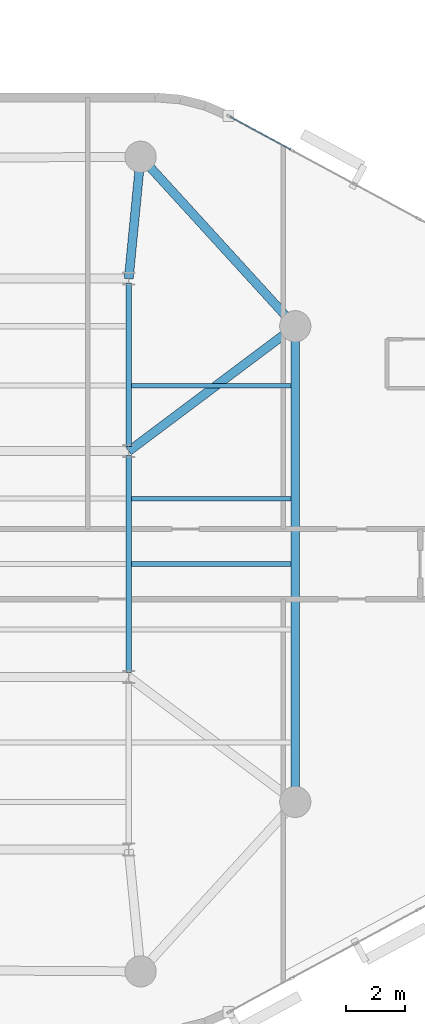
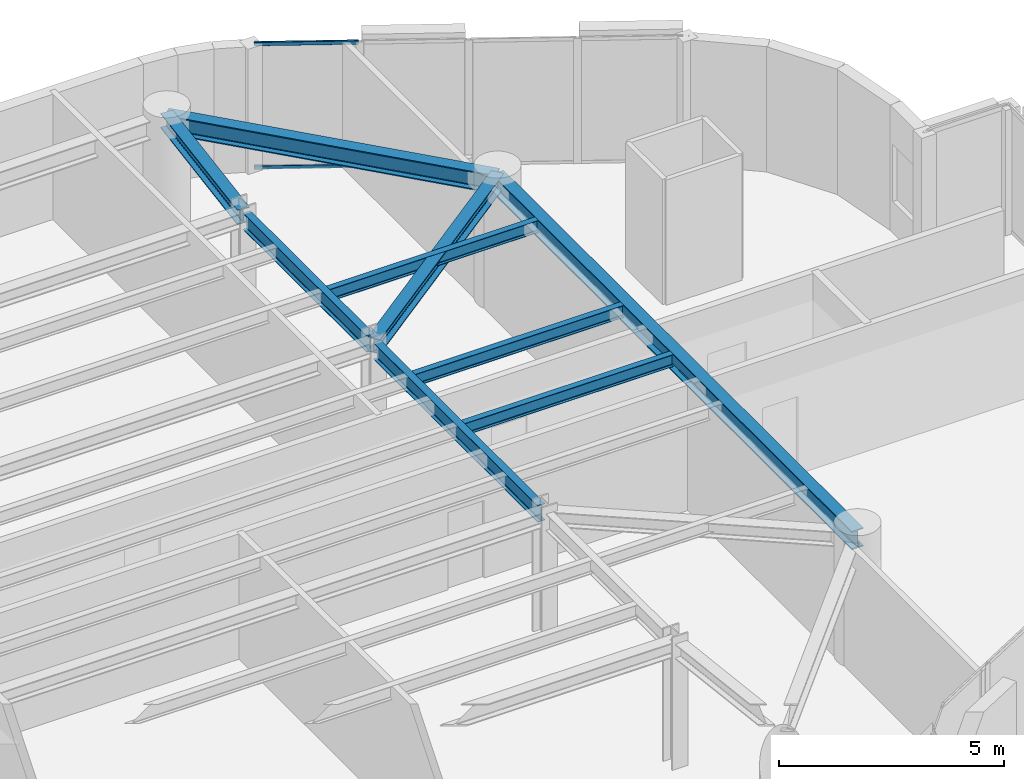
# One storey, part 5 of 15: 9 beams, 2 members, 1 element without a shape of its own.
"""IFC4 building model written with IfcOpenShell, lengths in metres."""

import ifcopenshell
import ifcopenshell.guid

model = None  # the IFC model being written
_history = None  # IfcOwnerHistory: only IFC2X3 demands one
_inside = {}  # id of a spatial element -> (the spatial element, [elements in it])
_under = {}  # id of a project, library or spatial element -> (it, [spatial elements below it])
_declared = {}  # id of a project -> (the project, [libraries it declares])
_typed = {}  # id of a type object -> (the type object, [elements of that type])
_made_of = {}  # id of a material, layer set ... -> (it, [elements and type objects made of it])


def new_model(schema):
    """Start an empty IFC model of exactly this schema.

    Asked for "IFC4X3", IfcOpenShell would pick the latest addendum, in which some entities
    have other attributes; the version numbers below select the first issue.
    IFC2X3 requires an IfcOwnerHistory on every rooted entity: one is made here for all.
    """
    global model, _history
    if schema == "IFC4X3":
        model = ifcopenshell.file(schema_version=(4, 3, 0, 0))
    else:
        model = ifcopenshell.file(schema=schema)
    _inside.clear()
    _under.clear()
    _declared.clear()
    _typed.clear()
    _made_of.clear()
    _history = None
    if model.schema == "IFC2X3":
        org = make("IfcOrganization", Name="unknown")
        user = make(
            "IfcPersonAndOrganization",
            ThePerson=make("IfcPerson", FamilyName="unknown"),
            TheOrganization=org,
        )
        app = make(
            "IfcApplication",
            ApplicationDeveloper=org,
            Version="unknown",
            ApplicationFullName="unknown",
            ApplicationIdentifier="unknown",
        )
        _history = make(
            "IfcOwnerHistory",
            OwningUser=user,
            OwningApplication=app,
            ChangeAction="ADDED",
            CreationDate=0,
        )
    return model


def make(cls, **values):
    """One entity of the class cls with the attributes given. An attribute that is None is left unset."""
    return model.create_entity(
        cls, **{name: value for name, value in values.items() if value is not None}
    )


def rooted(cls, **values):
    """An entity with a GlobalId (a new one), such as an element, a storey or a relation."""
    return make(cls, GlobalId=ifcopenshell.guid.new(), OwnerHistory=_history, **values)


def si_unit(unit_type, name, prefix=None):
    """IfcSIUnit, for example si_unit("LENGTHUNIT", "METRE", prefix="MILLI")."""
    return make("IfcSIUnit", UnitType=unit_type, Prefix=prefix, Name=name)


def assignment(units):
    """IfcUnitAssignment: the units of a project."""
    return None if units is None else make("IfcUnitAssignment", Units=units)


def point(xyz):
    """IfcCartesianPoint."""
    return None if xyz is None else make("IfcCartesianPoint", Coordinates=xyz)


def direction(xyz):
    """IfcDirection."""
    return None if xyz is None else make("IfcDirection", DirectionRatios=xyz)


def frame(location, z_axis=None, x_axis=None):
    """IfcAxis2Placement3D, a coordinate frame: its origin and axes. An axis left out is left unset."""
    return make(
        "IfcAxis2Placement3D",
        Location=point(location),
        Axis=direction(z_axis),
        RefDirection=direction(x_axis),
    )


def frame_2d(location, x_axis=None):
    """IfcAxis2Placement2D, a coordinate frame in the plane: its origin and x axis."""
    return make(
        "IfcAxis2Placement2D", Location=point(location), RefDirection=direction(x_axis)
    )


def origin():
    """The frame at (0, 0, 0) with its axes left unset."""
    return frame((0.0, 0.0, 0.0))


def origin_2d():
    """The frame at (0, 0) in the plane with its x axis left unset."""
    return frame_2d((0.0, 0.0))


def place(relative_to, where):
    """IfcLocalPlacement: puts the frame where relative to a parent placement (None: the world)."""
    return make(
        "IfcLocalPlacement", PlacementRelTo=relative_to, RelativePlacement=where
    )


def context(
    kind, dimensions, precision=None, world=None, true_north=None, identifier=None
):
    """IfcGeometricRepresentationContext, for example the 3D "Model" context."""
    return make(
        "IfcGeometricRepresentationContext",
        ContextIdentifier=identifier,
        ContextType=kind,
        CoordinateSpaceDimension=dimensions,
        Precision=precision,
        WorldCoordinateSystem=world,
        TrueNorth=true_north,
    )


def subcontext(parent, identifier, kind, view, scale=None):
    """IfcGeometricRepresentationSubContext, for example "Body" below "Model"."""
    return make(
        "IfcGeometricRepresentationSubContext",
        ContextIdentifier=identifier,
        ContextType=kind,
        ParentContext=parent,
        TargetScale=scale,
        TargetView=view,
    )


def project(units=None, contexts=None):
    """IfcProject with its units and contexts."""
    return rooted(
        "IfcProject",
        Name="project",
        RepresentationContexts=contexts,
        UnitsInContext=assignment(units),
    )


def spatial(cls, under=None, at=None, **own):
    """A site, building, storey or space (cls), placed at a placement, below another one or the project."""
    s = rooted(cls, ObjectPlacement=at, **own)
    if under is not None:
        _under.setdefault(under.id(), (under, []))[1].append(s)
    return s


def profile(cls, at=None, kind="AREA", **sizes):
    """A parametric profile (cls). Its sizes go by their IFC names, for example OverallWidth=200.0."""
    return make(cls, ProfileType=kind, Position=at, **sizes)


def hollow_rectangle(**sizes):
    """IfcRectangleHollowProfileDef."""
    return profile("IfcRectangleHollowProfileDef", **sizes)


def i_section(**sizes):
    """IfcIShapeProfileDef."""
    return profile("IfcIShapeProfileDef", **sizes)


def extrude(swept, where, along, depth):
    """IfcExtrudedAreaSolid: the profile swept, set in the frame where, extruded along a direction by depth."""
    return make(
        "IfcExtrudedAreaSolid",
        SweptArea=swept,
        Position=where,
        ExtrudedDirection=direction(along),
        Depth=depth,
    )


def shape(context_of_items, identifier, shape_type, items):
    """IfcShapeRepresentation: the items that make up one representation, for example the "Body"."""
    return make(
        "IfcShapeRepresentation",
        ContextOfItems=context_of_items,
        RepresentationIdentifier=identifier,
        RepresentationType=shape_type,
        Items=items,
    )


def material(Name=None, Category=None):
    """IfcMaterial."""
    return make("IfcMaterial", Name=Name, Category=Category)


def layer(
    of_material, thickness, ventilated=None, Name=None, Category=None, Priority=None
):
    """IfcMaterialLayer: one layer of a wall or slab, of a material (None: an air gap)."""
    return make(
        "IfcMaterialLayer",
        Material=of_material,
        LayerThickness=thickness,
        IsVentilated=ventilated,
        Name=Name,
        Category=Category,
        Priority=Priority,
    )


def layer_set(layers, Name=None):
    """IfcMaterialLayerSet."""
    return make("IfcMaterialLayerSet", MaterialLayers=layers, LayerSetName=Name)


def material_profile(
    of_material, cross_section, Name=None, Category=None, Priority=None
):
    """IfcMaterialProfile: a cross section and its material."""
    return make(
        "IfcMaterialProfile",
        Name=Name,
        Material=of_material,
        Profile=cross_section,
        Priority=Priority,
        Category=Category,
    )


def profile_set(profiles, Name=None, composite=None):
    """IfcMaterialProfileSet."""
    return make(
        "IfcMaterialProfileSet",
        Name=Name,
        MaterialProfiles=profiles,
        CompositeProfile=composite,
    )


def made_of(thing, what):
    """Note that an element or type object is made of a material, layer set ...; save() writes the relation."""
    if what is not None:
        _made_of.setdefault(what.id(), (what, []))[1].append(thing)
    return thing


def type_object(cls, material=None, **own):
    """A type object (cls), such as IfcWallType, which elements share."""
    return made_of(rooted(cls, **own), material)


def element(
    cls,
    number,
    at=None,
    inside=None,
    cuts=None,
    type_object=None,
    material=None,
    context=None,
    identifier="Body",
    shape_type=None,
    held_by="IfcProductDefinitionShape",
    body=None,
    shapes=None,
    **own,
):
    """One element of the class cls, such as IfcWall. Its Tag is "e" and its number.

    at: its placement. inside: the storey or other place that contains it. cuts: it is an
    opening in that element (IfcRelVoidsElement). A single representation is given by context,
    identifier, shape_type and body (its items); several are given by shapes. held_by: the class
    of the entity that holds the representations. save() writes the other relations.
    """
    e = rooted(cls, Tag="e%d" % number, ObjectPlacement=at, **own)
    if body is not None:
        shapes = [shape(context, identifier, shape_type, body)]
    if shapes is not None:
        e.Representation = make(held_by, Representations=shapes)
    if inside is not None:
        _inside.setdefault(inside.id(), (inside, []))[1].append(e)
    if cuts is not None:
        rooted(
            "IfcRelVoidsElement", RelatingBuildingElement=cuts, RelatedOpeningElement=e
        )
    if type_object is not None:
        _typed.setdefault(type_object.id(), (type_object, []))[1].append(e)
    return made_of(e, material)


def aggregate(whole, parts):
    """IfcRelAggregates: a whole, such as a stair, and the parts it consists of."""
    return rooted("IfcRelAggregates", RelatingObject=whole, RelatedObjects=parts)


def save(model, path):
    """Write the relations noted so far, then the file.

    IfcRelAggregates (storeys below a building ...), IfcRelContainedInSpatialStructure (elements
    in a storey), IfcRelDefinesByType, IfcRelAssociatesMaterial and IfcRelDeclares: one each for
    every whole, place, type object, material and project.
    """
    for whole, parts in _under.values():
        aggregate(whole, parts)
    for where, things in _inside.values():
        rooted(
            "IfcRelContainedInSpatialStructure",
            RelatedElements=things,
            RelatingStructure=where,
        )
    for kind, things in _typed.values():
        rooted("IfcRelDefinesByType", RelatedObjects=things, RelatingType=kind)
    for what, things in _made_of.values():
        rooted("IfcRelAssociatesMaterial", RelatedObjects=things, RelatingMaterial=what)
    for by, libraries in _declared.values():
        rooted("IfcRelDeclares", RelatingContext=by, RelatedDefinitions=libraries)
    model.write(path)


model = new_model("IFC4")

# Units and contexts
model_context = context("Model", 3, precision=1e-05, world=origin(), true_north=direction((0.0, 1.0)))
body_context = subcontext(model_context, "Body", "Model", "MODEL_VIEW")
ifc_project = project(units=[si_unit("LENGTHUNIT", "METRE"), si_unit("AREAUNIT", "SQUARE_METRE"), si_unit("VOLUMEUNIT", "CUBIC_METRE"), si_unit("PLANEANGLEUNIT", "RADIAN"), si_unit("MASSUNIT", "GRAM", prefix="KILO")], contexts=[model_context])

# Site, building, storey
site_placement = place(None, origin())
site = spatial("IfcSite", under=ifc_project, at=site_placement, CompositionType="ELEMENT")
building_placement = place(site_placement, origin())
building = spatial("IfcBuilding", under=site, at=building_placement, Name="An Khanh Terracotta Commons", CompositionType="ELEMENT")
storey_placement = place(building_placement, frame((0.0, 0.0, 208.5)))
storey = spatial("IfcBuildingStorey", under=building, at=storey_placement, Name="L54", CompositionType="ELEMENT", Elevation=208.5)

# Beams
ifc_material_1 = material(Name="Steel S355J2", Category="steel")
ifc_material_profile_1 = material_profile(ifc_material_1, i_section(OverallWidth=0.300048828125, OverallDepth=0.39990234375, WebThickness=0.013427734375, FlangeThickness=0.02392578125, FilletRadius=0.027099609375, at=origin_2d()), Name="HEB400")
ifc_profile_set_1 = profile_set([ifc_material_profile_1], Name="Steel S355J2")
beam_type_1 = type_object("IfcBeamType", Name="BM-HEB400", PredefinedType="BEAM", material=ifc_profile_set_1)
beam_1_placement = place(storey_placement, frame((59.60009765625, 32.0, 3.199951171875), z_axis=(-0.800008370399, -0.599988839305, 0.0), x_axis=(0.599988839305, -0.800008370399, 0.0)))
element("IfcBeam", 1, at=beam_1_placement, inside=storey, type_object=beam_type_1, Name="L54 Mega-Column Tie Girder 4", PredefinedType="BEAM", context=body_context, shape_type="SweptSolid", body=[
    extrude(i_section(OverallWidth=0.300048828125, OverallDepth=0.39990234375, WebThickness=0.013427734375, FlangeThickness=0.02392578125, FilletRadius=0.027099609375, at=origin_2d()), origin(), (0.0, 0.0, 1.0), 7.0),
])
beam_2_placement = place(storey_placement, frame((54.39990234375, 37.699951171875, 3.199951171875), z_axis=(-0.097079917443, -0.995276589511, 0.0), x_axis=(0.995276589511, -0.097079917443, 0.0)))
element("IfcBeam", 2, at=beam_2_placement, inside=storey, type_object=beam_type_1, Name="L54 Mega-Column Tie Girder 5", PredefinedType="BEAM", context=body_context, shape_type="SweptSolid", body=[
    extrude(i_section(OverallWidth=0.300048828125, OverallDepth=0.39990234375, WebThickness=0.013427734375, FlangeThickness=0.02392578125, FilletRadius=0.027099609375, at=origin_2d()), origin(), (0.0, 0.0, 1.0), 4.119384765625),
])
ifc_material_profile_2 = material_profile(ifc_material_1, i_section(OverallWidth=0.300048828125, OverallDepth=0.5, WebThickness=0.014404296875, FlangeThickness=0.028076171875, FilletRadius=0.027099609375, at=origin_2d()), Name="HEB500")
ifc_profile_set_2 = profile_set([ifc_material_profile_2], Name="Steel S355J2")
beam_type_2 = type_object("IfcBeamType", Name="BM-HEB500", PredefinedType="BEAM", material=ifc_profile_set_2)
beam_3_placement = place(storey_placement, frame((59.60009765625, 16.0, 3.14990234375), z_axis=(0.0, 1.0, 0.0), x_axis=(-1.0, 0.0, 0.0)))
element("IfcBeam", 3, at=beam_3_placement, inside=storey, type_object=beam_type_2, Name="L54 Perimeter Ring Spandrel 3", PredefinedType="BEAM", context=body_context, shape_type="SweptSolid", body=[
    extrude(i_section(OverallWidth=0.300048828125, OverallDepth=0.5, WebThickness=0.014404296875, FlangeThickness=0.028076171875, FilletRadius=0.027099609375, at=origin_2d()), origin(), (0.0, 0.0, 1.0), 16.0),
])
beam_4_placement = place(storey_placement, frame((59.60009765625, 32.0, 3.14990234375), z_axis=(-0.673978953902, 0.738750546326, 0.0), x_axis=(-0.738750546326, -0.673978953902, 0.0)))
element("IfcBeam", 4, at=beam_4_placement, inside=storey, type_object=beam_type_2, Name="L54 Perimeter Ring Spandrel 4", PredefinedType="BEAM", context=body_context, shape_type="SweptSolid", body=[
    extrude(i_section(OverallWidth=0.300048828125, OverallDepth=0.5, WebThickness=0.014404296875, FlangeThickness=0.028076171875, FilletRadius=0.027099609375, at=origin_2d()), origin(), (0.0, 0.0, 1.0), 7.715576171875),
])
ifc_material_profile_3 = material_profile(ifc_material_1, i_section(OverallWidth=0.159912109375, OverallDepth=0.330078125, WebThickness=0.007568359375, FlangeThickness=0.011474609375, FilletRadius=0.01806640625, at=origin_2d()), Name="IPE330")
ifc_profile_set_3 = profile_set([ifc_material_profile_3], Name="Steel S355J2")
beam_type_3 = type_object("IfcBeamType", Name="BM-IPE330", PredefinedType="JOIST", material=ifc_profile_set_3)
for number, where, z_axis, x_axis, name in (
    (5, (54.094970703125, 24.0, 3.235107421875), (1.0, 0.0, 0.0), (0.0, 1.0, 0.0), "L54 Riverfront Composite Joist 4"),
    (6, (54.094970703125, 26.199951171875, 3.235107421875), (1.0, 0.0, 0.0), (0.0, 1.0, 0.0), "L54 Riverfront Composite Joist 5"),
    (7, (54.094970703125, 30.0, 3.235107421875), (1.0, 0.0, 0.0), (0.0, 1.0, 0.0), "L54 Riverfront Composite Joist 6"),
):
    element("IfcBeam", number, at=place(storey_placement, frame(where, z_axis=z_axis, x_axis=x_axis)), inside=storey, type_object=beam_type_3, Name=name, PredefinedType="JOIST", context=body_context, shape_type="SweptSolid", body=[
        extrude(i_section(OverallWidth=0.159912109375, OverallDepth=0.330078125, WebThickness=0.007568359375, FlangeThickness=0.011474609375, FilletRadius=0.01806640625, at=origin_2d()), origin(), (0.0, 0.0, 1.0), 5.35498046875),
    ])
ifc_material_profile_4 = material_profile(ifc_material_1, i_section(OverallWidth=0.18994140625, OverallDepth=0.449951171875, WebThickness=0.009521484375, FlangeThickness=0.0146484375, FilletRadius=0.02099609375, at=origin_2d()), Name="IPE450")
ifc_profile_set_4 = profile_set([ifc_material_profile_4], Name="Steel S355J2")
beam_type_4 = type_object("IfcBeamType", Name="BM-IPE450", PredefinedType="JOIST", material=ifc_profile_set_4)
beam_5_placement = place(storey_placement, frame((54.0, 20.35009765625, 3.175048828125), z_axis=(0.0, 1.0, 0.0), x_axis=(-1.0, 0.0, 0.0)))
element("IfcBeam", 8, at=beam_5_placement, inside=storey, type_object=beam_type_4, Name="L54 East Spine Girder 2", PredefinedType="JOIST", context=body_context, shape_type="SweptSolid", body=[
    extrude(i_section(OverallWidth=0.18994140625, OverallDepth=0.449951171875, WebThickness=0.009521484375, FlangeThickness=0.0146484375, FilletRadius=0.02099609375, at=origin_2d()), origin(), (0.0, 0.0, 1.0), 7.2998046875),
])
beam_6_placement = place(storey_placement, frame((54.0, 27.949951171875, 3.175048828125), z_axis=(0.0, 1.0, 0.0), x_axis=(-1.0, 0.0, 0.0)))
element("IfcBeam", 9, at=beam_6_placement, inside=storey, type_object=beam_type_4, Name="L54 East Spine Girder 3", PredefinedType="JOIST", context=body_context, shape_type="SweptSolid", body=[
    extrude(i_section(OverallWidth=0.18994140625, OverallDepth=0.449951171875, WebThickness=0.009521484375, FlangeThickness=0.0146484375, FilletRadius=0.02099609375, at=origin_2d()), origin(), (0.0, 0.0, 1.0), 5.5),
])

# Curtain wall, members
ifc_material_2 = material(Name="Anodised Aluminium 6063-T6", Category="aluminium")
ifc_layer = layer(ifc_material_2, 0.2099609375, Name="Anodised Aluminium 6063-T6")
ifc_layer_set = layer_set([ifc_layer], Name="Anodised Aluminium 6063-T6")
curtain_wall_type = type_object("IfcCurtainWallType", Name="CW-SYS-03", PredefinedType="USERDEFINED", material=ifc_layer_set)
curtain_wall_placement = place(storey_placement, origin())
curtain_wall = element("IfcCurtainWall", 10, at=curtain_wall_placement, inside=storey, type_object=curtain_wall_type, Name="L54 CW-03 Unitised Curtain Wall CW-L54-16", ObjectType="UNITISED CURTAIN WALL", PredefinedType="USERDEFINED")
ifc_material_profile_5 = material_profile(ifc_material_2, hollow_rectangle(XDim=0.050048828125, YDim=0.10009765625, WallThickness=0.003173828125, InnerFilletRadius=0.003173828125, OuterFilletRadius=0.00634765625, at=origin_2d()), Name="RHS100x50x3.2")
ifc_profile_set_5 = profile_set([ifc_material_profile_5], Name="Anodised Aluminium 6063-T6")
member_type = type_object("IfcMemberType", Name="CWT-RHS100x50x3.2", PredefinedType="USERDEFINED", material=ifc_profile_set_5)
member_1_placement = place(storey_placement, frame((59.455078125, 37.94140625, 0.02490234375), z_axis=(-0.879779245677, 0.475382455373, 0.0), x_axis=(-0.475382455373, -0.879779245677, 0.0)))
member_1 = element("IfcMember", 11, at=member_1_placement, type_object=member_type, Name="CW-03 transom 4.1", ObjectType="TRANSOM", PredefinedType="USERDEFINED", context=body_context, shape_type="SweptSolid", body=[
    extrude(hollow_rectangle(XDim=0.050048828125, YDim=0.10009765625, WallThickness=0.003173828125, InnerFilletRadius=0.003173828125, OuterFilletRadius=0.00634765625, at=origin_2d()), origin(), (0.0, 0.0, 1.0), 2.314697265625),
])
member_2_placement = place(storey_placement, frame((59.455078125, 37.94140625, 3.375), z_axis=(-0.879779245677, 0.475382455373, 0.0), x_axis=(-0.475382455373, -0.879779245677, 0.0)))
member_2 = element("IfcMember", 12, at=member_2_placement, type_object=member_type, Name="CW-03 transom 4.2", ObjectType="TRANSOM", PredefinedType="USERDEFINED", context=body_context, shape_type="SweptSolid", body=[
    extrude(hollow_rectangle(XDim=0.050048828125, YDim=0.10009765625, WallThickness=0.003173828125, InnerFilletRadius=0.003173828125, OuterFilletRadius=0.00634765625, at=origin_2d()), origin(), (0.0, 0.0, 1.0), 2.314697265625),
])
aggregate(curtain_wall, [member_1, member_2])

save(model, "model.ifc")
